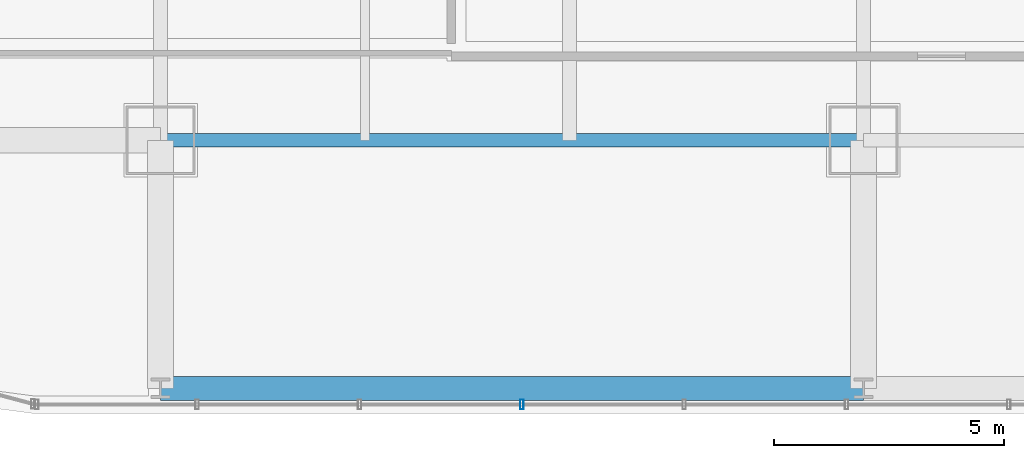
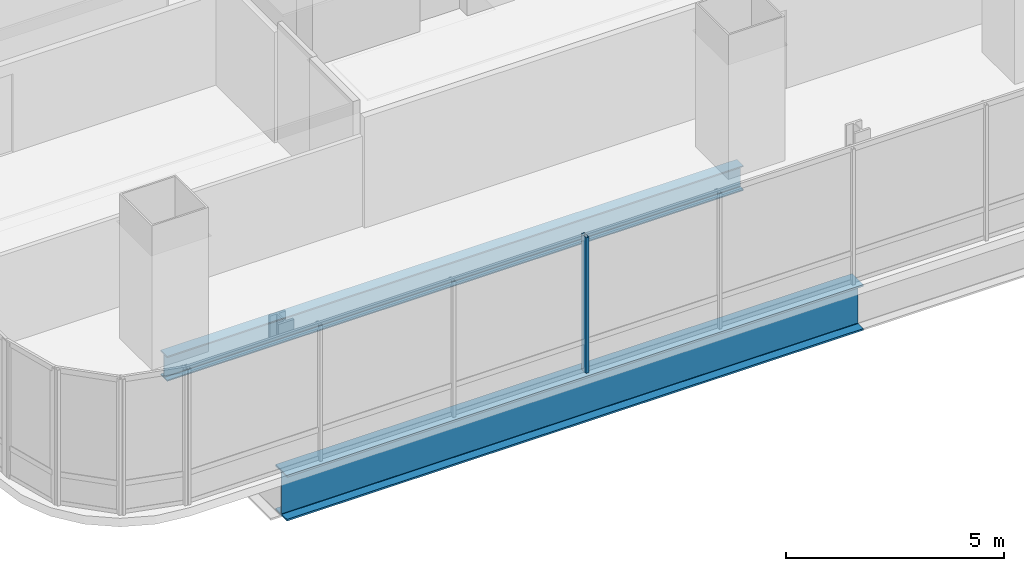
# One storey, part 3 of 35: 2 beams, 1 member, 1 element without a shape of its own.
"""IFC4 building model written with IfcOpenShell, lengths in metres."""

import ifcopenshell
import ifcopenshell.guid

model = None  # the IFC model being written
_history = None  # IfcOwnerHistory: only IFC2X3 demands one
_inside = {}  # id of a spatial element -> (the spatial element, [elements in it])
_under = {}  # id of a project, library or spatial element -> (it, [spatial elements below it])
_declared = {}  # id of a project -> (the project, [libraries it declares])
_typed = {}  # id of a type object -> (the type object, [elements of that type])
_made_of = {}  # id of a material, layer set ... -> (it, [elements and type objects made of it])


def new_model(schema):
    """Start an empty IFC model of exactly this schema.

    Asked for "IFC4X3", IfcOpenShell would pick the latest addendum, in which some entities
    have other attributes; the version numbers below select the first issue.
    IFC2X3 requires an IfcOwnerHistory on every rooted entity: one is made here for all.
    """
    global model, _history
    if schema == "IFC4X3":
        model = ifcopenshell.file(schema_version=(4, 3, 0, 0))
    else:
        model = ifcopenshell.file(schema=schema)
    _inside.clear()
    _under.clear()
    _declared.clear()
    _typed.clear()
    _made_of.clear()
    _history = None
    if model.schema == "IFC2X3":
        org = make("IfcOrganization", Name="unknown")
        user = make(
            "IfcPersonAndOrganization",
            ThePerson=make("IfcPerson", FamilyName="unknown"),
            TheOrganization=org,
        )
        app = make(
            "IfcApplication",
            ApplicationDeveloper=org,
            Version="unknown",
            ApplicationFullName="unknown",
            ApplicationIdentifier="unknown",
        )
        _history = make(
            "IfcOwnerHistory",
            OwningUser=user,
            OwningApplication=app,
            ChangeAction="ADDED",
            CreationDate=0,
        )
    return model


def make(cls, **values):
    """One entity of the class cls with the attributes given. An attribute that is None is left unset."""
    return model.create_entity(
        cls, **{name: value for name, value in values.items() if value is not None}
    )


def rooted(cls, **values):
    """An entity with a GlobalId (a new one), such as an element, a storey or a relation."""
    return make(cls, GlobalId=ifcopenshell.guid.new(), OwnerHistory=_history, **values)


def si_unit(unit_type, name, prefix=None):
    """IfcSIUnit, for example si_unit("LENGTHUNIT", "METRE", prefix="MILLI")."""
    return make("IfcSIUnit", UnitType=unit_type, Prefix=prefix, Name=name)


def assignment(units):
    """IfcUnitAssignment: the units of a project."""
    return None if units is None else make("IfcUnitAssignment", Units=units)


def point(xyz):
    """IfcCartesianPoint."""
    return None if xyz is None else make("IfcCartesianPoint", Coordinates=xyz)


def direction(xyz):
    """IfcDirection."""
    return None if xyz is None else make("IfcDirection", DirectionRatios=xyz)


def frame(location, z_axis=None, x_axis=None):
    """IfcAxis2Placement3D, a coordinate frame: its origin and axes. An axis left out is left unset."""
    return make(
        "IfcAxis2Placement3D",
        Location=point(location),
        Axis=direction(z_axis),
        RefDirection=direction(x_axis),
    )


def frame_2d(location, x_axis=None):
    """IfcAxis2Placement2D, a coordinate frame in the plane: its origin and x axis."""
    return make(
        "IfcAxis2Placement2D", Location=point(location), RefDirection=direction(x_axis)
    )


def origin():
    """The frame at (0, 0, 0) with its axes left unset."""
    return frame((0.0, 0.0, 0.0))


def origin_2d():
    """The frame at (0, 0) in the plane with its x axis left unset."""
    return frame_2d((0.0, 0.0))


def place(relative_to, where):
    """IfcLocalPlacement: puts the frame where relative to a parent placement (None: the world)."""
    return make(
        "IfcLocalPlacement", PlacementRelTo=relative_to, RelativePlacement=where
    )


def context(
    kind, dimensions, precision=None, world=None, true_north=None, identifier=None
):
    """IfcGeometricRepresentationContext, for example the 3D "Model" context."""
    return make(
        "IfcGeometricRepresentationContext",
        ContextIdentifier=identifier,
        ContextType=kind,
        CoordinateSpaceDimension=dimensions,
        Precision=precision,
        WorldCoordinateSystem=world,
        TrueNorth=true_north,
    )


def subcontext(parent, identifier, kind, view, scale=None):
    """IfcGeometricRepresentationSubContext, for example "Body" below "Model"."""
    return make(
        "IfcGeometricRepresentationSubContext",
        ContextIdentifier=identifier,
        ContextType=kind,
        ParentContext=parent,
        TargetScale=scale,
        TargetView=view,
    )


def project(units=None, contexts=None):
    """IfcProject with its units and contexts."""
    return rooted(
        "IfcProject",
        Name="project",
        RepresentationContexts=contexts,
        UnitsInContext=assignment(units),
    )


def spatial(cls, under=None, at=None, **own):
    """A site, building, storey or space (cls), placed at a placement, below another one or the project."""
    s = rooted(cls, ObjectPlacement=at, **own)
    if under is not None:
        _under.setdefault(under.id(), (under, []))[1].append(s)
    return s


def profile(cls, at=None, kind="AREA", **sizes):
    """A parametric profile (cls). Its sizes go by their IFC names, for example OverallWidth=200.0."""
    return make(cls, ProfileType=kind, Position=at, **sizes)


def hollow_rectangle(**sizes):
    """IfcRectangleHollowProfileDef."""
    return profile("IfcRectangleHollowProfileDef", **sizes)


def i_section(**sizes):
    """IfcIShapeProfileDef."""
    return profile("IfcIShapeProfileDef", **sizes)


def extrude(swept, where, along, depth):
    """IfcExtrudedAreaSolid: the profile swept, set in the frame where, extruded along a direction by depth."""
    return make(
        "IfcExtrudedAreaSolid",
        SweptArea=swept,
        Position=where,
        ExtrudedDirection=direction(along),
        Depth=depth,
    )


def shape(context_of_items, identifier, shape_type, items):
    """IfcShapeRepresentation: the items that make up one representation, for example the "Body"."""
    return make(
        "IfcShapeRepresentation",
        ContextOfItems=context_of_items,
        RepresentationIdentifier=identifier,
        RepresentationType=shape_type,
        Items=items,
    )


def material(Name=None, Category=None):
    """IfcMaterial."""
    return make("IfcMaterial", Name=Name, Category=Category)


def material_profile(
    of_material, cross_section, Name=None, Category=None, Priority=None
):
    """IfcMaterialProfile: a cross section and its material."""
    return make(
        "IfcMaterialProfile",
        Name=Name,
        Material=of_material,
        Profile=cross_section,
        Priority=Priority,
        Category=Category,
    )


def profile_set(profiles, Name=None, composite=None):
    """IfcMaterialProfileSet."""
    return make(
        "IfcMaterialProfileSet",
        Name=Name,
        MaterialProfiles=profiles,
        CompositeProfile=composite,
    )


def made_of(thing, what):
    """Note that an element or type object is made of a material, layer set ...; save() writes the relation."""
    if what is not None:
        _made_of.setdefault(what.id(), (what, []))[1].append(thing)
    return thing


def type_object(cls, material=None, **own):
    """A type object (cls), such as IfcWallType, which elements share."""
    return made_of(rooted(cls, **own), material)


def element(
    cls,
    number,
    at=None,
    inside=None,
    cuts=None,
    type_object=None,
    material=None,
    context=None,
    identifier="Body",
    shape_type=None,
    held_by="IfcProductDefinitionShape",
    body=None,
    shapes=None,
    **own,
):
    """One element of the class cls, such as IfcWall. Its Tag is "e" and its number.

    at: its placement. inside: the storey or other place that contains it. cuts: it is an
    opening in that element (IfcRelVoidsElement). A single representation is given by context,
    identifier, shape_type and body (its items); several are given by shapes. held_by: the class
    of the entity that holds the representations. save() writes the other relations.
    """
    e = rooted(cls, Tag="e%d" % number, ObjectPlacement=at, **own)
    if body is not None:
        shapes = [shape(context, identifier, shape_type, body)]
    if shapes is not None:
        e.Representation = make(held_by, Representations=shapes)
    if inside is not None:
        _inside.setdefault(inside.id(), (inside, []))[1].append(e)
    if cuts is not None:
        rooted(
            "IfcRelVoidsElement", RelatingBuildingElement=cuts, RelatedOpeningElement=e
        )
    if type_object is not None:
        _typed.setdefault(type_object.id(), (type_object, []))[1].append(e)
    return made_of(e, material)


def aggregate(whole, parts):
    """IfcRelAggregates: a whole, such as a stair, and the parts it consists of."""
    return rooted("IfcRelAggregates", RelatingObject=whole, RelatedObjects=parts)


def save(model, path):
    """Write the relations noted so far, then the file.

    IfcRelAggregates (storeys below a building ...), IfcRelContainedInSpatialStructure (elements
    in a storey), IfcRelDefinesByType, IfcRelAssociatesMaterial and IfcRelDeclares: one each for
    every whole, place, type object, material and project.
    """
    for whole, parts in _under.values():
        aggregate(whole, parts)
    for where, things in _inside.values():
        rooted(
            "IfcRelContainedInSpatialStructure",
            RelatedElements=things,
            RelatingStructure=where,
        )
    for kind, things in _typed.values():
        rooted("IfcRelDefinesByType", RelatedObjects=things, RelatingType=kind)
    for what, things in _made_of.values():
        rooted("IfcRelAssociatesMaterial", RelatedObjects=things, RelatingMaterial=what)
    for by, libraries in _declared.values():
        rooted("IfcRelDeclares", RelatingContext=by, RelatedDefinitions=libraries)
    model.write(path)


model = new_model("IFC4")

# Units and contexts
model_context = context("Model", 3, precision=1e-05, world=origin(), true_north=direction((0.0, 1.0)))
body_context = subcontext(model_context, "Body", "Model", "MODEL_VIEW")
ifc_project = project(units=[si_unit("LENGTHUNIT", "METRE"), si_unit("AREAUNIT", "SQUARE_METRE"), si_unit("VOLUMEUNIT", "CUBIC_METRE"), si_unit("PLANEANGLEUNIT", "RADIAN"), si_unit("MASSUNIT", "GRAM", prefix="KILO")], contexts=[model_context])

# Site, building, storey
site_placement = place(None, origin())
site = spatial("IfcSite", under=ifc_project, at=site_placement, CompositionType="ELEMENT")
building_placement = place(site_placement, origin())
building = spatial("IfcBuilding", under=site, at=building_placement, Name="Punatoya Terracotta Tower", CompositionType="ELEMENT")
storey_placement = place(building_placement, frame((0.0, 0.0, 52.5)))
storey = spatial("IfcBuildingStorey", under=building, at=storey_placement, Name="L11", CompositionType="ELEMENT", Elevation=52.5)

# Beams
ifc_material_1 = material(Name="Steel S355", Category="steel")
ifc_material_profile_1 = material_profile(ifc_material_1, i_section(OverallWidth=0.300048828125, OverallDepth=0.699951171875, WebThickness=0.01708984375, FlangeThickness=0.031982421875, FilletRadius=0.01806640625, at=origin_2d()))
ifc_profile_set_1 = profile_set([ifc_material_profile_1], Name="Steel S355")
beam_type_1 = type_object("IfcBeamType", Name="BM-PRI-700", PredefinedType="BEAM", material=ifc_profile_set_1)
beam_1_placement = place(storey_placement, frame((-19.10009765625, -17.5, -0.590087890625), z_axis=(1.0, 0.0, 0.0), x_axis=(0.0, 1.0, 0.0)))
element("IfcBeam", 1, at=beam_1_placement, inside=storey, type_object=beam_type_1, Name="BM-L11-RG-S1", PredefinedType="BEAM", context=body_context, shape_type="SweptSolid", body=[
    extrude(i_section(OverallWidth=0.300048828125, OverallDepth=0.699951171875, WebThickness=0.01708984375, FlangeThickness=0.031982421875, FilletRadius=0.01806640625, at=origin_2d()), origin(), (0.0, 0.0, 1.0), 15.300048828125),
])
ifc_material_2 = material(Name="Steel S460", Category="steel")
ifc_material_profile_2 = material_profile(ifc_material_2, i_section(OverallWidth=0.52001953125, OverallDepth=1.280029296875, WebThickness=0.031982421875, FlangeThickness=0.050048828125, FilletRadius=0.01806640625, at=origin_2d()))
ifc_profile_set_2 = profile_set([ifc_material_profile_2], Name="Steel S460")
beam_type_2 = type_object("IfcBeamType", Name="BM-TG-NCK", PredefinedType="BEAM", material=ifc_profile_set_2)
beam_2_placement = place(storey_placement, frame((-19.10009765625, -22.89990234375, -0.8798828125), z_axis=(1.0, 0.0, 0.0), x_axis=(0.0, 1.0, 0.0)))
element("IfcBeam", 2, at=beam_2_placement, inside=storey, type_object=beam_type_2, Name="BM-L11-PER-S1", PredefinedType="BEAM", context=body_context, shape_type="SweptSolid", body=[
    extrude(i_section(OverallWidth=0.52001953125, OverallDepth=1.280029296875, WebThickness=0.031982421875, FlangeThickness=0.050048828125, FilletRadius=0.01806640625, at=origin_2d()), origin(), (0.0, 0.0, 1.0), 15.300048828125),
])

# Curtain wall, member
ifc_material_3 = material(Name="Aluminium 6063-T6 + Double Low-E Glass", Category="aluminium")
curtain_wall_type = type_object("IfcCurtainWallType", Name="CW-M1", PredefinedType="NOTDEFINED", material=ifc_material_3)
curtain_wall_placement = place(storey_placement, origin())
curtain_wall = element("IfcCurtainWall", 3, at=curtain_wall_placement, inside=storey, type_object=curtain_wall_type, Name="L11 Curtain Wall CW-L11-S01-1", PredefinedType="NOTDEFINED")
ifc_material_4 = material(Name="Aluminium 6063-T6", Category="aluminium")
ifc_material_profile_3 = material_profile(ifc_material_4, hollow_rectangle(XDim=0.074951171875, YDim=0.2099609375, WallThickness=0.00439453125, at=origin_2d()))
ifc_profile_set_3 = profile_set([ifc_material_profile_3], Name="Aluminium 6063-T6")
member_type = type_object("IfcMemberType", Name="CW-MUL-M1", PredefinedType="MULLION", material=ifc_profile_set_3)
member_placement = place(storey_placement, frame((-11.235107421875, -23.25, 0.0), z_axis=(0.0, 0.0, 1.0), x_axis=(1.0, 0.0, 0.0)))
member = element("IfcMember", 4, at=member_placement, type_object=member_type, Name="CW-L11-S01-1 Mullion 03", PredefinedType="MULLION", context=body_context, shape_type="SweptSolid", body=[
    extrude(hollow_rectangle(XDim=0.074951171875, YDim=0.2099609375, WallThickness=0.00439453125, at=origin_2d()), origin(), (0.0, 0.0, 1.0), 3.81005859375),
])
aggregate(curtain_wall, [member])

save(model, "model.ifc")
